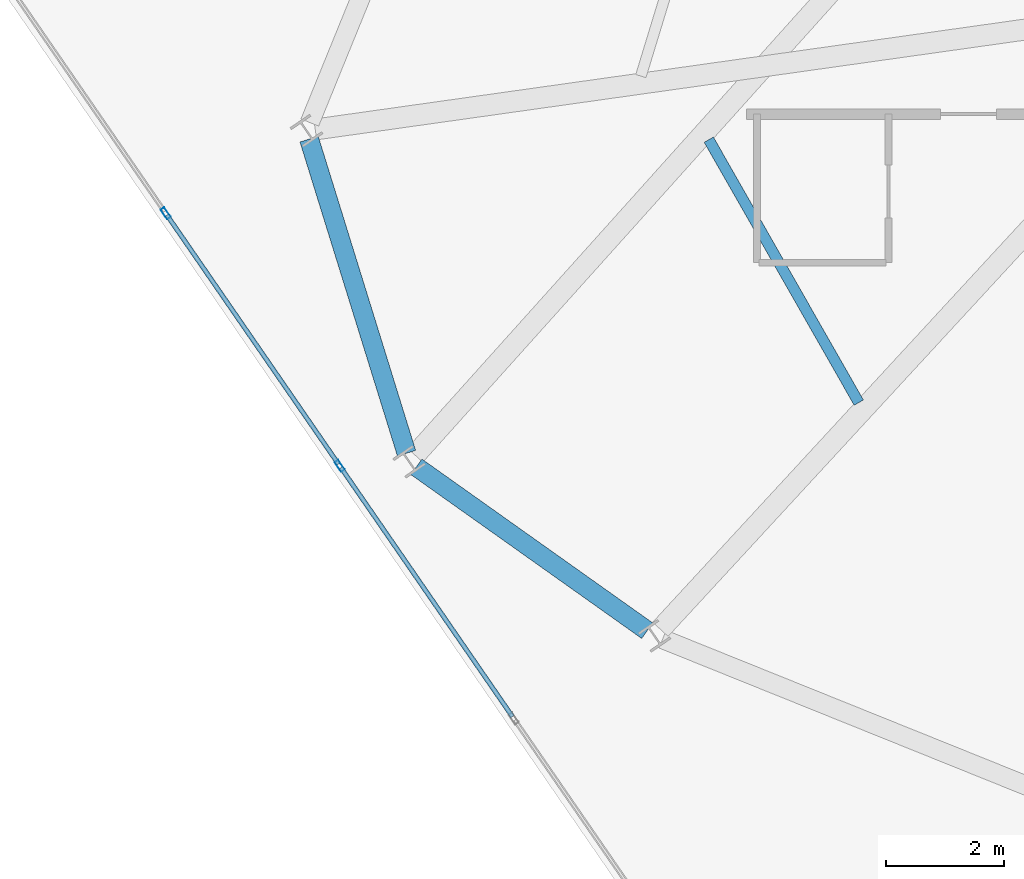
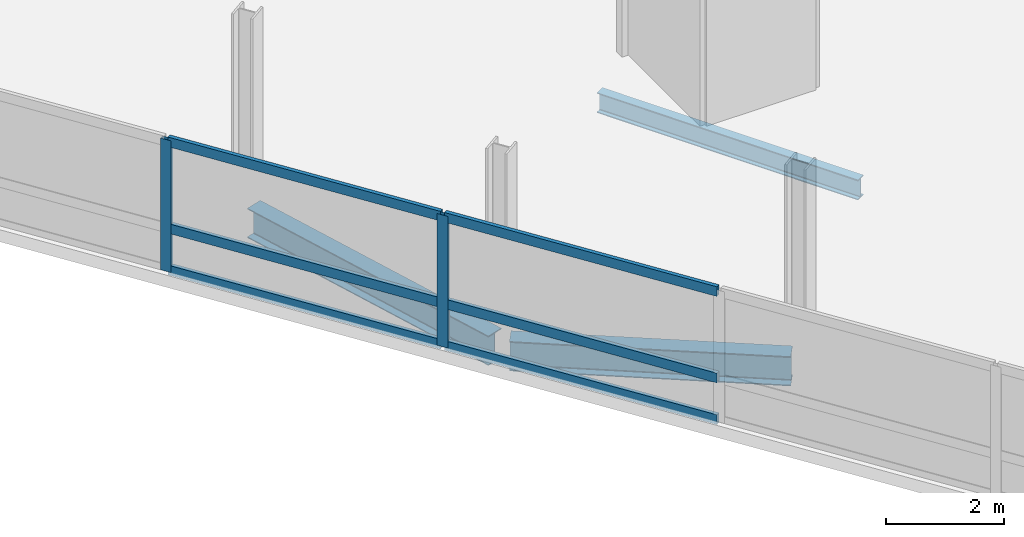
# One storey, part 5 of 22: 8 members, 3 beams, 1 element without a shape of its own.
"""IFC4 building model written with IfcOpenShell, lengths in metres."""

from ifc_helpers import new_model, si_unit, direction, frame, origin, origin_2d, place, context, subcontext, project, spatial, hollow_rectangle, i_section, extrude, material, layer, layer_set, material_profile, profile_set, type_object, element, aggregate, save


model = new_model("IFC4")

# Units and contexts
model_context = context("Model", 3, precision=1e-05, world=origin(), true_north=direction((0.0, 1.0)))
body_context = subcontext(model_context, "Body", "Model", "MODEL_VIEW")
ifc_project = project(units=[si_unit("LENGTHUNIT", "METRE"), si_unit("AREAUNIT", "SQUARE_METRE"), si_unit("VOLUMEUNIT", "CUBIC_METRE"), si_unit("PLANEANGLEUNIT", "RADIAN"), si_unit("MASSUNIT", "GRAM", prefix="KILO")], contexts=[model_context])

# Site, building, storey
site_placement = place(None, origin())
site = spatial("IfcSite", under=ifc_project, at=site_placement, CompositionType="ELEMENT")
building_placement = place(site_placement, origin())
building = spatial("IfcBuilding", under=site, at=building_placement, Name="Varnelok Gate Tower", CompositionType="ELEMENT")
storey_placement = place(building_placement, frame((0.0, 0.0, 284.10009765625)))
storey = spatial("IfcBuildingStorey", under=building, at=storey_placement, Name="L73", CompositionType="ELEMENT", Elevation=284.10009765625)

# Beams
ifc_material_1 = material(Name="Structural Steel ASTM A992 Grade 50", Category="steel")
ifc_material_profile_1 = material_profile(ifc_material_1, i_section(OverallWidth=0.180908203125, OverallDepth=0.4169921875, WebThickness=0.010986328125, FlangeThickness=0.018310546875, FilletRadius=0.013916015625, at=origin_2d()), Name="W16X57")
ifc_profile_set_1 = profile_set([ifc_material_profile_1], Name="Structural Steel ASTM A992 Grade 50")
beam_type_1 = type_object("IfcBeamType", Name="BM-JST-W16X57", PredefinedType="JOIST", material=ifc_profile_set_1)
beam_1_placement = place(storey_placement, frame((15.36474609375, 16.416259765625, -0.45849609375), z_axis=(0.495534374057, -0.86858832834, 0.0), x_axis=(0.86858832834, 0.495534374057, 0.0)))
element("IfcBeam", 1, at=beam_1_placement, inside=storey, type_object=beam_type_1, Name="L73 Sector Floor Joist 14", PredefinedType="JOIST", context=body_context, shape_type="SweptSolid", body=[
    extrude(i_section(OverallWidth=0.180908203125, OverallDepth=0.4169921875, WebThickness=0.010986328125, FlangeThickness=0.018310546875, FilletRadius=0.013916015625, at=origin_2d()), origin(), (0.0, 0.0, 1.0), 5.1328125),
])
ifc_material_profile_2 = material_profile(ifc_material_1, i_section(OverallWidth=0.323974609375, OverallDepth=0.611083984375, WebThickness=0.0126953125, FlangeThickness=0.01904296875, FilletRadius=0.01806640625, at=origin_2d()), Name="W24X104")
ifc_profile_set_2 = profile_set([ifc_material_profile_2], Name="Structural Steel ASTM A992 Grade 50")
beam_type_2 = type_object("IfcBeamType", Name="BM-SPN-W24X104", PredefinedType="SPANDREL", material=ifc_profile_set_2)
beam_2_placement = place(storey_placement, frame((8.587646484375, 16.42529296875, -0.5556640625), z_axis=(0.296300068239, -0.955094900814, 0.0), x_axis=(0.955094900814, 0.296300068239, 0.0)))
element("IfcBeam", 2, at=beam_2_placement, inside=storey, type_object=beam_type_2, Name="L73 Perimeter Spandrel Beam 14", PredefinedType="SPANDREL", context=body_context, shape_type="SweptSolid", body=[
    extrude(i_section(OverallWidth=0.323974609375, OverallDepth=0.611083984375, WebThickness=0.0126953125, FlangeThickness=0.01904296875, FilletRadius=0.01806640625, at=origin_2d()), origin(), (0.0, 0.0, 1.0), 5.57666015625),
])
beam_3_placement = place(storey_placement, frame((10.40673828125, 10.868896484375, -0.5556640625), z_axis=(0.815431243688, -0.57885394256, 0.0), x_axis=(0.57885394256, 0.815431243688, 0.0)))
element("IfcBeam", 3, at=beam_3_placement, inside=storey, type_object=beam_type_2, Name="L73 Perimeter Spandrel Beam 15", PredefinedType="SPANDREL", context=body_context, shape_type="SweptSolid", body=[
    extrude(i_section(OverallWidth=0.323974609375, OverallDepth=0.611083984375, WebThickness=0.0126953125, FlangeThickness=0.01904296875, FilletRadius=0.01806640625, at=origin_2d()), origin(), (0.0, 0.0, 1.0), 4.7998046875),
])

# Curtain wall, members
ifc_material_2 = material(Name="Anodized Aluminum Alloy 6063-T6", Category="aluminium")
ifc_layer = layer(ifc_material_2, 0.179931640625)
ifc_layer_set = layer_set([ifc_layer], Name="Anodized Aluminum Alloy 6063-T6")
curtain_wall_type = type_object("IfcCurtainWallType", Name="CW6-CROWN-LOOKOUT", PredefinedType="USERDEFINED", material=ifc_layer_set)
curtain_wall_placement = place(storey_placement, origin())
curtain_wall = element("IfcCurtainWall", 4, at=curtain_wall_placement, inside=storey, type_object=curtain_wall_type, Name="L73 West End Vision Curtain Wall", ObjectType="STRUCTURAL GLAZING", PredefinedType="USERDEFINED")
ifc_material_profile_3 = material_profile(ifc_material_2, hollow_rectangle(XDim=0.074951171875, YDim=0.199951171875, WallThickness=0.00390625, at=origin_2d()), Name="ALU200X75X4")
ifc_profile_set_3 = profile_set([ifc_material_profile_3], Name="Anodized Aluminum Alloy 6063-T6")
member_type_1 = type_object("IfcMemberType", Name="CW-MULL-200", PredefinedType="MULLION", material=ifc_profile_set_3)
member_1_placement = place(storey_placement, frame((9.106689453125, 10.88525390625, 0.0), z_axis=(0.0, 0.0, 1.0), x_axis=(-0.823532290241, -0.567269395376, 0.0)))
member_1 = element("IfcMember", 5, at=member_1_placement, type_object=member_type_1, Name="CW6 mullion 5", PredefinedType="MULLION", context=body_context, shape_type="SweptSolid", body=[
    extrude(hollow_rectangle(XDim=0.074951171875, YDim=0.199951171875, WallThickness=0.00390625, at=origin_2d()), origin(), (0.0, 0.0, 1.0), 2.72998046875),
])
member_2_placement = place(storey_placement, frame((6.15673828125, 15.16748046875, 0.0), z_axis=(0.0, 0.0, 1.0), x_axis=(-0.823532290241, -0.567269395376, 0.0)))
member_2 = element("IfcMember", 6, at=member_2_placement, type_object=member_type_1, Name="CW6 mullion 6", PredefinedType="MULLION", context=body_context, shape_type="SweptSolid", body=[
    extrude(hollow_rectangle(XDim=0.074951171875, YDim=0.199951171875, WallThickness=0.00390625, at=origin_2d()), origin(), (0.0, 0.0, 1.0), 2.72998046875),
])
ifc_material_profile_4 = material_profile(ifc_material_2, hollow_rectangle(XDim=0.074951171875, YDim=0.199951171875, WallThickness=0.00390625, at=origin_2d()), Name="ALU200X75X4")
ifc_profile_set_4 = profile_set([ifc_material_profile_4], Name="Anodized Aluminum Alloy 6063-T6")
member_type_2 = type_object("IfcMemberType", Name="CW-TRAN-200", PredefinedType="USERDEFINED", material=ifc_profile_set_4)
member_3_placement = place(storey_placement, frame((12.03515625, 6.6337890625, 0.037353515625), z_axis=(-0.567278672654, 0.823525899746, 0.0), x_axis=(-0.823525899746, -0.567278672654, 0.0)))
member_3 = element("IfcMember", 7, at=member_3_placement, type_object=member_type_2, Name="CW6 transom 4.1", ObjectType="TRANSOM", PredefinedType="USERDEFINED", context=body_context, shape_type="SweptSolid", body=[
    extrude(hollow_rectangle(XDim=0.074951171875, YDim=0.199951171875, WallThickness=0.00390625, at=origin_2d()), origin(), (0.0, 0.0, 1.0), 5.124755859375),
])
member_4_placement = place(storey_placement, frame((12.03515625, 6.6337890625, 0.89990234375), z_axis=(-0.567278672654, 0.823525899746, 0.0), x_axis=(-0.823525899746, -0.567278672654, 0.0)))
member_4 = element("IfcMember", 8, at=member_4_placement, type_object=member_type_2, Name="CW6 transom 4.2", ObjectType="TRANSOM", PredefinedType="USERDEFINED", context=body_context, shape_type="SweptSolid", body=[
    extrude(hollow_rectangle(XDim=0.074951171875, YDim=0.199951171875, WallThickness=0.00390625, at=origin_2d()), origin(), (0.0, 0.0, 1.0), 5.124755859375),
])
member_5_placement = place(storey_placement, frame((12.03515625, 6.6337890625, 2.6923828125), z_axis=(-0.567278672654, 0.823525899746, 0.0), x_axis=(-0.823525899746, -0.567278672654, 0.0)))
member_5 = element("IfcMember", 9, at=member_5_placement, type_object=member_type_2, Name="CW6 transom 4.3", ObjectType="TRANSOM", PredefinedType="USERDEFINED", context=body_context, shape_type="SweptSolid", body=[
    extrude(hollow_rectangle(XDim=0.074951171875, YDim=0.199951171875, WallThickness=0.00390625, at=origin_2d()), origin(), (0.0, 0.0, 1.0), 5.124755859375),
])
member_6_placement = place(storey_placement, frame((9.08544921875, 10.916015625, 0.037353515625), z_axis=(-0.567288724908, 0.823518975247, 0.0), x_axis=(-0.823518975247, -0.567288724908, 0.0)))
member_6 = element("IfcMember", 10, at=member_6_placement, type_object=member_type_2, Name="CW6 transom 5.1", ObjectType="TRANSOM", PredefinedType="USERDEFINED", context=body_context, shape_type="SweptSolid", body=[
    extrude(hollow_rectangle(XDim=0.074951171875, YDim=0.199951171875, WallThickness=0.00390625, at=origin_2d()), origin(), (0.0, 0.0, 1.0), 5.125244140625),
])
member_7_placement = place(storey_placement, frame((9.08544921875, 10.916015625, 0.89990234375), z_axis=(-0.567288724908, 0.823518975247, 0.0), x_axis=(-0.823518975247, -0.567288724908, 0.0)))
member_7 = element("IfcMember", 11, at=member_7_placement, type_object=member_type_2, Name="CW6 transom 5.2", ObjectType="TRANSOM", PredefinedType="USERDEFINED", context=body_context, shape_type="SweptSolid", body=[
    extrude(hollow_rectangle(XDim=0.074951171875, YDim=0.199951171875, WallThickness=0.00390625, at=origin_2d()), origin(), (0.0, 0.0, 1.0), 5.125244140625),
])
member_8_placement = place(storey_placement, frame((9.08544921875, 10.916015625, 2.6923828125), z_axis=(-0.567288724908, 0.823518975247, 0.0), x_axis=(-0.823518975247, -0.567288724908, 0.0)))
member_8 = element("IfcMember", 12, at=member_8_placement, type_object=member_type_2, Name="CW6 transom 5.3", ObjectType="TRANSOM", PredefinedType="USERDEFINED", context=body_context, shape_type="SweptSolid", body=[
    extrude(hollow_rectangle(XDim=0.074951171875, YDim=0.199951171875, WallThickness=0.00390625, at=origin_2d()), origin(), (0.0, 0.0, 1.0), 5.125244140625),
])
aggregate(curtain_wall, [member_1, member_2, member_3, member_4, member_5, member_6, member_7, member_8])

save(model, "model.ifc")
